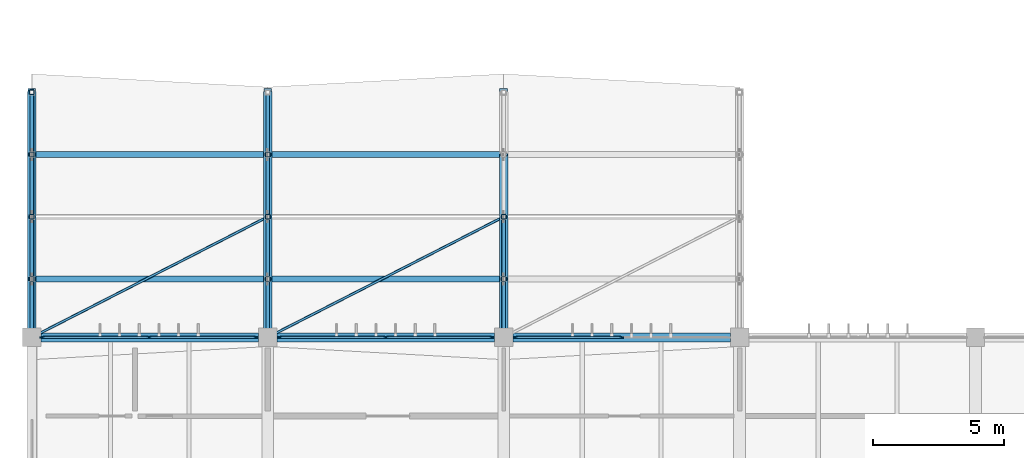
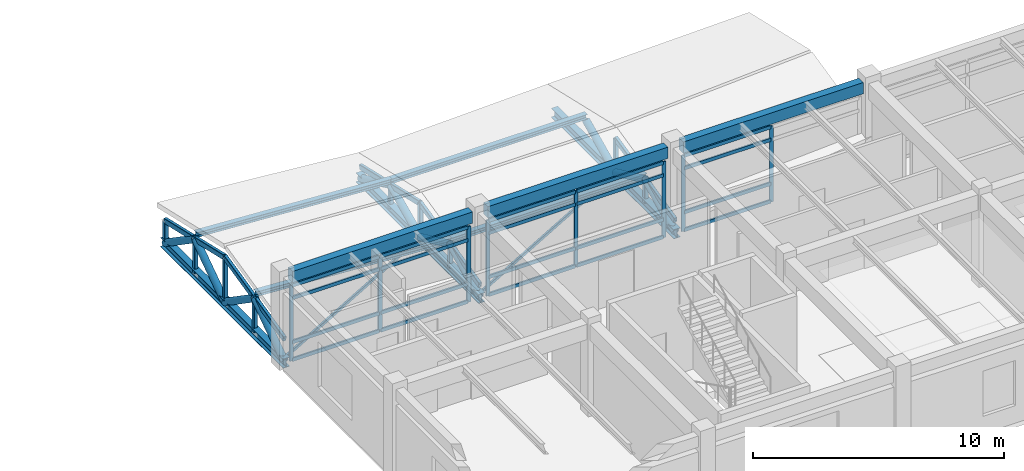
# One storey, part 11 of 61: 59 members, 6 beams, 3 elements without a shape of their own.
"""IFC4 building model written with IfcOpenShell, lengths in metres."""

import ifcopenshell
import ifcopenshell.guid

model = None  # the IFC model being written
_history = None  # IfcOwnerHistory: only IFC2X3 demands one
_inside = {}  # id of a spatial element -> (the spatial element, [elements in it])
_under = {}  # id of a project, library or spatial element -> (it, [spatial elements below it])
_declared = {}  # id of a project -> (the project, [libraries it declares])
_typed = {}  # id of a type object -> (the type object, [elements of that type])
_made_of = {}  # id of a material, layer set ... -> (it, [elements and type objects made of it])


def new_model(schema):
    """Start an empty IFC model of exactly this schema.

    Asked for "IFC4X3", IfcOpenShell would pick the latest addendum, in which some entities
    have other attributes; the version numbers below select the first issue.
    IFC2X3 requires an IfcOwnerHistory on every rooted entity: one is made here for all.
    """
    global model, _history
    if schema == "IFC4X3":
        model = ifcopenshell.file(schema_version=(4, 3, 0, 0))
    else:
        model = ifcopenshell.file(schema=schema)
    _inside.clear()
    _under.clear()
    _declared.clear()
    _typed.clear()
    _made_of.clear()
    _history = None
    if model.schema == "IFC2X3":
        org = make("IfcOrganization", Name="unknown")
        user = make(
            "IfcPersonAndOrganization",
            ThePerson=make("IfcPerson", FamilyName="unknown"),
            TheOrganization=org,
        )
        app = make(
            "IfcApplication",
            ApplicationDeveloper=org,
            Version="unknown",
            ApplicationFullName="unknown",
            ApplicationIdentifier="unknown",
        )
        _history = make(
            "IfcOwnerHistory",
            OwningUser=user,
            OwningApplication=app,
            ChangeAction="ADDED",
            CreationDate=0,
        )
    return model


def make(cls, **values):
    """One entity of the class cls with the attributes given. An attribute that is None is left unset."""
    return model.create_entity(
        cls, **{name: value for name, value in values.items() if value is not None}
    )


def rooted(cls, **values):
    """An entity with a GlobalId (a new one), such as an element, a storey or a relation."""
    return make(cls, GlobalId=ifcopenshell.guid.new(), OwnerHistory=_history, **values)


def si_unit(unit_type, name, prefix=None):
    """IfcSIUnit, for example si_unit("LENGTHUNIT", "METRE", prefix="MILLI")."""
    return make("IfcSIUnit", UnitType=unit_type, Prefix=prefix, Name=name)


def assignment(units):
    """IfcUnitAssignment: the units of a project."""
    return None if units is None else make("IfcUnitAssignment", Units=units)


def point(xyz):
    """IfcCartesianPoint."""
    return None if xyz is None else make("IfcCartesianPoint", Coordinates=xyz)


def direction(xyz):
    """IfcDirection."""
    return None if xyz is None else make("IfcDirection", DirectionRatios=xyz)


def frame(location, z_axis=None, x_axis=None):
    """IfcAxis2Placement3D, a coordinate frame: its origin and axes. An axis left out is left unset."""
    return make(
        "IfcAxis2Placement3D",
        Location=point(location),
        Axis=direction(z_axis),
        RefDirection=direction(x_axis),
    )


def frame_2d(location, x_axis=None):
    """IfcAxis2Placement2D, a coordinate frame in the plane: its origin and x axis."""
    return make(
        "IfcAxis2Placement2D", Location=point(location), RefDirection=direction(x_axis)
    )


def origin():
    """The frame at (0, 0, 0) with its axes left unset."""
    return frame((0.0, 0.0, 0.0))


def origin_2d():
    """The frame at (0, 0) in the plane with its x axis left unset."""
    return frame_2d((0.0, 0.0))


def place(relative_to, where):
    """IfcLocalPlacement: puts the frame where relative to a parent placement (None: the world)."""
    return make(
        "IfcLocalPlacement", PlacementRelTo=relative_to, RelativePlacement=where
    )


def context(
    kind, dimensions, precision=None, world=None, true_north=None, identifier=None
):
    """IfcGeometricRepresentationContext, for example the 3D "Model" context."""
    return make(
        "IfcGeometricRepresentationContext",
        ContextIdentifier=identifier,
        ContextType=kind,
        CoordinateSpaceDimension=dimensions,
        Precision=precision,
        WorldCoordinateSystem=world,
        TrueNorth=true_north,
    )


def subcontext(parent, identifier, kind, view, scale=None):
    """IfcGeometricRepresentationSubContext, for example "Body" below "Model"."""
    return make(
        "IfcGeometricRepresentationSubContext",
        ContextIdentifier=identifier,
        ContextType=kind,
        ParentContext=parent,
        TargetScale=scale,
        TargetView=view,
    )


def project(units=None, contexts=None):
    """IfcProject with its units and contexts."""
    return rooted(
        "IfcProject",
        Name="project",
        RepresentationContexts=contexts,
        UnitsInContext=assignment(units),
    )


def spatial(cls, under=None, at=None, **own):
    """A site, building, storey or space (cls), placed at a placement, below another one or the project."""
    s = rooted(cls, ObjectPlacement=at, **own)
    if under is not None:
        _under.setdefault(under.id(), (under, []))[1].append(s)
    return s


def profile(cls, at=None, kind="AREA", **sizes):
    """A parametric profile (cls). Its sizes go by their IFC names, for example OverallWidth=200.0."""
    return make(cls, ProfileType=kind, Position=at, **sizes)


def rectangle(**sizes):
    """IfcRectangleProfileDef."""
    return profile("IfcRectangleProfileDef", **sizes)


def hollow_rectangle(**sizes):
    """IfcRectangleHollowProfileDef."""
    return profile("IfcRectangleHollowProfileDef", **sizes)


def hollow_circle(**sizes):
    """IfcCircleHollowProfileDef."""
    return profile("IfcCircleHollowProfileDef", **sizes)


def i_section(**sizes):
    """IfcIShapeProfileDef."""
    return profile("IfcIShapeProfileDef", **sizes)


def extrude(swept, where, along, depth):
    """IfcExtrudedAreaSolid: the profile swept, set in the frame where, extruded along a direction by depth."""
    return make(
        "IfcExtrudedAreaSolid",
        SweptArea=swept,
        Position=where,
        ExtrudedDirection=direction(along),
        Depth=depth,
    )


def shape(context_of_items, identifier, shape_type, items):
    """IfcShapeRepresentation: the items that make up one representation, for example the "Body"."""
    return make(
        "IfcShapeRepresentation",
        ContextOfItems=context_of_items,
        RepresentationIdentifier=identifier,
        RepresentationType=shape_type,
        Items=items,
    )


def material(Name=None, Category=None):
    """IfcMaterial."""
    return make("IfcMaterial", Name=Name, Category=Category)


def material_profile(
    of_material, cross_section, Name=None, Category=None, Priority=None
):
    """IfcMaterialProfile: a cross section and its material."""
    return make(
        "IfcMaterialProfile",
        Name=Name,
        Material=of_material,
        Profile=cross_section,
        Priority=Priority,
        Category=Category,
    )


def profile_set(profiles, Name=None, composite=None):
    """IfcMaterialProfileSet."""
    return make(
        "IfcMaterialProfileSet",
        Name=Name,
        MaterialProfiles=profiles,
        CompositeProfile=composite,
    )


def made_of(thing, what):
    """Note that an element or type object is made of a material, layer set ...; save() writes the relation."""
    if what is not None:
        _made_of.setdefault(what.id(), (what, []))[1].append(thing)
    return thing


def type_object(cls, material=None, **own):
    """A type object (cls), such as IfcWallType, which elements share."""
    return made_of(rooted(cls, **own), material)


def element(
    cls,
    number,
    at=None,
    inside=None,
    cuts=None,
    type_object=None,
    material=None,
    context=None,
    identifier="Body",
    shape_type=None,
    held_by="IfcProductDefinitionShape",
    body=None,
    shapes=None,
    **own,
):
    """One element of the class cls, such as IfcWall. Its Tag is "e" and its number.

    at: its placement. inside: the storey or other place that contains it. cuts: it is an
    opening in that element (IfcRelVoidsElement). A single representation is given by context,
    identifier, shape_type and body (its items); several are given by shapes. held_by: the class
    of the entity that holds the representations. save() writes the other relations.
    """
    e = rooted(cls, Tag="e%d" % number, ObjectPlacement=at, **own)
    if body is not None:
        shapes = [shape(context, identifier, shape_type, body)]
    if shapes is not None:
        e.Representation = make(held_by, Representations=shapes)
    if inside is not None:
        _inside.setdefault(inside.id(), (inside, []))[1].append(e)
    if cuts is not None:
        rooted(
            "IfcRelVoidsElement", RelatingBuildingElement=cuts, RelatedOpeningElement=e
        )
    if type_object is not None:
        _typed.setdefault(type_object.id(), (type_object, []))[1].append(e)
    return made_of(e, material)


def aggregate(whole, parts):
    """IfcRelAggregates: a whole, such as a stair, and the parts it consists of."""
    return rooted("IfcRelAggregates", RelatingObject=whole, RelatedObjects=parts)


def save(model, path):
    """Write the relations noted so far, then the file.

    IfcRelAggregates (storeys below a building ...), IfcRelContainedInSpatialStructure (elements
    in a storey), IfcRelDefinesByType, IfcRelAssociatesMaterial and IfcRelDeclares: one each for
    every whole, place, type object, material and project.
    """
    for whole, parts in _under.values():
        aggregate(whole, parts)
    for where, things in _inside.values():
        rooted(
            "IfcRelContainedInSpatialStructure",
            RelatedElements=things,
            RelatingStructure=where,
        )
    for kind, things in _typed.values():
        rooted("IfcRelDefinesByType", RelatedObjects=things, RelatingType=kind)
    for what, things in _made_of.values():
        rooted("IfcRelAssociatesMaterial", RelatedObjects=things, RelatingMaterial=what)
    for by, libraries in _declared.values():
        rooted("IfcRelDeclares", RelatingContext=by, RelatedDefinitions=libraries)
    model.write(path)


model = new_model("IFC4")

# Units and contexts
model_context = context("Model", 3, precision=1e-05, world=origin(), true_north=direction((0.0, 1.0)))
body_context = subcontext(model_context, "Body", "Model", "MODEL_VIEW")
ifc_project = project(units=[si_unit("LENGTHUNIT", "METRE"), si_unit("AREAUNIT", "SQUARE_METRE"), si_unit("VOLUMEUNIT", "CUBIC_METRE"), si_unit("PLANEANGLEUNIT", "RADIAN"), si_unit("MASSUNIT", "GRAM", prefix="KILO")], contexts=[model_context])

# Site, building, storey
site_placement = place(None, origin())
site = spatial("IfcSite", under=ifc_project, at=site_placement, CompositionType="ELEMENT")
building_placement = place(site_placement, origin())
building = spatial("IfcBuilding", under=site, at=building_placement, Name="Bozkorgan Art Gallery", CompositionType="ELEMENT")
storey_placement = place(building_placement, frame((0.0, 0.0, 10.199951171875)))
storey = spatial("IfcBuildingStorey", under=building, at=storey_placement, Name="L02", CompositionType="ELEMENT", Elevation=10.199951171875)

# Beams
ifc_material_1 = material(Name="Concrete C35/45", Category="concrete")
ifc_material_profile_1 = material_profile(ifc_material_1, rectangle(XDim=0.35009765625, YDim=0.550048828125, at=origin_2d()), Name="RC 350x550")
ifc_profile_set_1 = profile_set([ifc_material_profile_1], Name="Concrete C35/45")
beam_type_1 = type_object("IfcBeamType", Name="BEAM-SP-49", PredefinedType="SPANDREL", material=ifc_profile_set_1)
for number, where, z_axis, x_axis, name in (
    (1, (2.35009765625, 20.0, 4.205078125), (1.0, 0.0, 0.0), (0.0, 1.0, 0.0), "V1 L02 spandrel X (2-11, 20.0)"),
    (2, (11.35009765625, 20.0, 4.205078125), (1.0, 0.0, 0.0), (0.0, 1.0, 0.0), "V1 L02 spandrel X (11-20, 20.0)"),
    (3, (20.35009765625, 20.0, 4.205078125), (1.0, 0.0, 0.0), (0.0, 1.0, 0.0), "V1 L02 spandrel X (20-29, 20.0)"),
):
    element("IfcBeam", number, at=place(storey_placement, frame(where, z_axis=z_axis, x_axis=x_axis)), inside=storey, type_object=beam_type_1, Name=name, PredefinedType="SPANDREL", context=body_context, shape_type="SweptSolid", body=[
        extrude(rectangle(XDim=0.35009765625, YDim=0.550048828125, at=origin_2d()), origin(), (0.0, 0.0, 1.0), 8.2998046875),
    ])
ifc_material_2 = material(Name="Steel S355J2", Category="steel")
ifc_material_profile_2 = material_profile(ifc_material_2, i_section(OverallWidth=0.300048828125, OverallDepth=0.449951171875, WebThickness=0.013916015625, FlangeThickness=0.02587890625, FilletRadius=0.027099609375, at=origin_2d()), Name="HEB 450")
ifc_profile_set_2 = profile_set([ifc_material_profile_2], Name="Steel S355J2")
beam_type_2 = type_object("IfcBeamType", Name="BEAM-TB-37", PredefinedType="BEAM", material=ifc_profile_set_2)
for number, where, z_axis, x_axis, name in (
    (4, (2.0, 19.7099609375, 0.22509765625), (0.0, 1.0, 0.0), (-1.0, 0.0, 0.0), "ROOF-V1-STEP2 roof truss 1 bottom chord"),
    (5, (11.0, 19.7099609375, 0.22509765625), (0.0, 1.0, 0.0), (-1.0, 0.0, 0.0), "ROOF-V1-STEP2 roof truss 2 bottom chord"),
    (6, (20.0, 19.7099609375, 0.22509765625), (0.0, 1.0, 0.0), (-1.0, 0.0, 0.0), "ROOF-V1-STEP2 roof truss 3 bottom chord"),
):
    element("IfcBeam", number, at=place(storey_placement, frame(where, z_axis=z_axis, x_axis=x_axis)), inside=storey, type_object=beam_type_2, Name=name, PredefinedType="BEAM", context=body_context, shape_type="SweptSolid", body=[
        extrude(i_section(OverallWidth=0.300048828125, OverallDepth=0.449951171875, WebThickness=0.013916015625, FlangeThickness=0.02587890625, FilletRadius=0.027099609375, at=origin_2d()), origin(), (0.0, 0.0, 1.0), 9.780029296875),
    ])

# Curtain wall, members
ifc_material_3 = material(Name="Anodised Bronze Aluminium", Category="aluminium")
curtain_wall_type_1 = type_object("IfcCurtainWallType", Name="CW-CW-01", PredefinedType="NOTDEFINED", material=ifc_material_3)
curtain_wall_1_placement = place(storey_placement, origin())
curtain_wall_1 = element("IfcCurtainWall", 7, at=curtain_wall_1_placement, inside=storey, type_object=curtain_wall_type_1, Name="L02 unitised curtain wall CW-V1-L02-1N-02", PredefinedType="NOTDEFINED")
ifc_material_profile_3 = material_profile(ifc_material_3, rectangle(XDim=0.06494140625, YDim=0.179931640625, at=origin_2d()), Name="ALU MULLION 65x180")
ifc_profile_set_3 = profile_set([ifc_material_profile_3], Name="Anodised Bronze Aluminium")
member_type_1 = type_object("IfcMemberType", Name="CWM-01", PredefinedType="MULLION", material=ifc_profile_set_3)
member_1_placement = place(storey_placement, frame((2.3974609375, 20.0, 0.02001953125), z_axis=(0.0, 0.0, 1.0), x_axis=(0.0, 1.0, 0.0)))
member_1 = element("IfcMember", 8, at=member_1_placement, type_object=member_type_1, Name="CW-01 mullion 1", PredefinedType="MULLION", context=body_context, shape_type="SweptSolid", body=[
    extrude(rectangle(XDim=0.06494140625, YDim=0.179931640625, at=origin_2d()), origin(), (0.0, 0.0, 1.0), 3.695068359375),
])
member_2_placement = place(storey_placement, frame((6.47509765625, 20.0, 0.02001953125), z_axis=(0.0, 0.0, 1.0), x_axis=(0.0, 1.0, 0.0)))
member_2 = element("IfcMember", 9, at=member_2_placement, type_object=member_type_1, Name="CW-01 mullion 2", PredefinedType="MULLION", context=body_context, shape_type="SweptSolid", body=[
    extrude(rectangle(XDim=0.06494140625, YDim=0.179931640625, at=origin_2d()), origin(), (0.0, 0.0, 1.0), 3.695068359375),
])
member_3_placement = place(storey_placement, frame((10.552490234375, 20.0, 0.02001953125), z_axis=(0.0, 0.0, 1.0), x_axis=(0.0, 1.0, 0.0)))
member_3 = element("IfcMember", 10, at=member_3_placement, type_object=member_type_1, Name="CW-01 mullion 3", PredefinedType="MULLION", context=body_context, shape_type="SweptSolid", body=[
    extrude(rectangle(XDim=0.06494140625, YDim=0.179931640625, at=origin_2d()), origin(), (0.0, 0.0, 1.0), 3.695068359375),
])

curtain_wall_type_2 = type_object("IfcCurtainWallType", Name="CW-CW-82", PredefinedType="NOTDEFINED", material=ifc_material_3)
curtain_wall_2_placement = place(storey_placement, origin())
curtain_wall_2 = element("IfcCurtainWall", 11, at=curtain_wall_2_placement, inside=storey, type_object=curtain_wall_type_2, Name="L02 unitised curtain wall CW-V1-L02-1N-04", PredefinedType="NOTDEFINED")
member_4_placement = place(storey_placement, frame((11.447509765625, 20.0, 0.02001953125), z_axis=(0.0, 0.0, 1.0), x_axis=(0.0, 1.0, 0.0)))
member_4 = element("IfcMember", 12, at=member_4_placement, type_object=member_type_1, Name="CW-82 mullion 1", PredefinedType="MULLION", context=body_context, shape_type="SweptSolid", body=[
    extrude(rectangle(XDim=0.06494140625, YDim=0.179931640625, at=origin_2d()), origin(), (0.0, 0.0, 1.0), 3.695068359375),
])
member_5_placement = place(storey_placement, frame((15.5, 20.0, 0.02001953125), z_axis=(0.0, 0.0, 1.0), x_axis=(0.0, 1.0, 0.0)))
member_5 = element("IfcMember", 13, at=member_5_placement, type_object=member_type_1, Name="CW-82 mullion 2", PredefinedType="MULLION", context=body_context, shape_type="SweptSolid", body=[
    extrude(rectangle(XDim=0.06494140625, YDim=0.179931640625, at=origin_2d()), origin(), (0.0, 0.0, 1.0), 3.695068359375),
])
member_6_placement = place(storey_placement, frame((19.552490234375, 20.0, 0.02001953125), z_axis=(0.0, 0.0, 1.0), x_axis=(0.0, 1.0, 0.0)))
member_6 = element("IfcMember", 14, at=member_6_placement, type_object=member_type_1, Name="CW-82 mullion 3", PredefinedType="MULLION", context=body_context, shape_type="SweptSolid", body=[
    extrude(rectangle(XDim=0.06494140625, YDim=0.179931640625, at=origin_2d()), origin(), (0.0, 0.0, 1.0), 3.695068359375),
])

curtain_wall_3_placement = place(storey_placement, origin())
curtain_wall_3 = element("IfcCurtainWall", 15, at=curtain_wall_3_placement, inside=storey, type_object=curtain_wall_type_2, Name="L02 unitised curtain wall CW-V1-L02-1N-06", PredefinedType="NOTDEFINED")
member_7_placement = place(storey_placement, frame((20.447509765625, 20.0, 0.02001953125), z_axis=(0.0, 0.0, 1.0), x_axis=(0.0, 1.0, 0.0)))
member_7 = element("IfcMember", 16, at=member_7_placement, type_object=member_type_1, Name="CW-82 mullion 1", PredefinedType="MULLION", context=body_context, shape_type="SweptSolid", body=[
    extrude(rectangle(XDim=0.06494140625, YDim=0.179931640625, at=origin_2d()), origin(), (0.0, 0.0, 1.0), 3.695068359375),
])
member_8_placement = place(storey_placement, frame((24.5, 20.0, 0.02001953125), z_axis=(0.0, 0.0, 1.0), x_axis=(0.0, 1.0, 0.0)))
member_8 = element("IfcMember", 17, at=member_8_placement, type_object=member_type_1, Name="CW-82 mullion 2", PredefinedType="MULLION", context=body_context, shape_type="SweptSolid", body=[
    extrude(rectangle(XDim=0.06494140625, YDim=0.179931640625, at=origin_2d()), origin(), (0.0, 0.0, 1.0), 3.695068359375),
])

# Member
ifc_material_profile_4 = material_profile(ifc_material_3, rectangle(XDim=0.074951171875, YDim=0.169921875, at=origin_2d()), Name="ALU TRANSOM 75x170")
ifc_profile_set_4 = profile_set([ifc_material_profile_4], Name="Anodised Bronze Aluminium")
member_type_2 = type_object("IfcMemberType", Name="CWT-02", PredefinedType="USERDEFINED", material=ifc_profile_set_4)
member_9_placement = place(storey_placement, frame((2.429931640625, 20.0, 0.0576171875), z_axis=(1.0, 0.0, 0.0), x_axis=(0.0, 1.0, 0.0)))
member_9 = element("IfcMember", 18, at=member_9_placement, type_object=member_type_2, Name="CW-01 transom 1.1", ObjectType="TRANSOM", PredefinedType="USERDEFINED", context=body_context, shape_type="SweptSolid", body=[
    extrude(rectangle(XDim=0.074951171875, YDim=0.169921875, at=origin_2d()), origin(), (0.0, 0.0, 1.0), 4.012451171875),
])

member_10_placement = place(storey_placement, frame((2.429931640625, 20.0, 0.920166015625), z_axis=(1.0, 0.0, 0.0), x_axis=(0.0, 1.0, 0.0)))
member_10 = element("IfcMember", 19, at=member_10_placement, type_object=member_type_2, Name="CW-01 transom 1.2", ObjectType="TRANSOM", PredefinedType="USERDEFINED", context=body_context, shape_type="SweptSolid", body=[
    extrude(rectangle(XDim=0.074951171875, YDim=0.169921875, at=origin_2d()), origin(), (0.0, 0.0, 1.0), 4.012451171875),
])

member_11_placement = place(storey_placement, frame((2.429931640625, 20.0, 3.06494140625), z_axis=(1.0, 0.0, 0.0), x_axis=(0.0, 1.0, 0.0)))
member_11 = element("IfcMember", 20, at=member_11_placement, type_object=member_type_2, Name="CW-01 transom 1.3", ObjectType="TRANSOM", PredefinedType="USERDEFINED", context=body_context, shape_type="SweptSolid", body=[
    extrude(rectangle(XDim=0.074951171875, YDim=0.169921875, at=origin_2d()), origin(), (0.0, 0.0, 1.0), 4.012451171875),
])

member_12_placement = place(storey_placement, frame((2.429931640625, 20.0, 3.677490234375), z_axis=(1.0, 0.0, 0.0), x_axis=(0.0, 1.0, 0.0)))
member_12 = element("IfcMember", 21, at=member_12_placement, type_object=member_type_2, Name="CW-01 transom 1.4", ObjectType="TRANSOM", PredefinedType="USERDEFINED", context=body_context, shape_type="SweptSolid", body=[
    extrude(rectangle(XDim=0.074951171875, YDim=0.169921875, at=origin_2d()), origin(), (0.0, 0.0, 1.0), 4.012451171875),
])

member_13_placement = place(storey_placement, frame((6.507568359375, 20.0, 0.0576171875), z_axis=(1.0, 0.0, 0.0), x_axis=(0.0, 1.0, 0.0)))
member_13 = element("IfcMember", 22, at=member_13_placement, type_object=member_type_2, Name="CW-01 transom 2.1", ObjectType="TRANSOM", PredefinedType="USERDEFINED", context=body_context, shape_type="SweptSolid", body=[
    extrude(rectangle(XDim=0.074951171875, YDim=0.169921875, at=origin_2d()), origin(), (0.0, 0.0, 1.0), 4.012451171875),
])

member_14_placement = place(storey_placement, frame((6.507568359375, 20.0, 0.920166015625), z_axis=(1.0, 0.0, 0.0), x_axis=(0.0, 1.0, 0.0)))
member_14 = element("IfcMember", 23, at=member_14_placement, type_object=member_type_2, Name="CW-01 transom 2.2", ObjectType="TRANSOM", PredefinedType="USERDEFINED", context=body_context, shape_type="SweptSolid", body=[
    extrude(rectangle(XDim=0.074951171875, YDim=0.169921875, at=origin_2d()), origin(), (0.0, 0.0, 1.0), 4.012451171875),
])

member_15_placement = place(storey_placement, frame((6.507568359375, 20.0, 3.06494140625), z_axis=(1.0, 0.0, 0.0), x_axis=(0.0, 1.0, 0.0)))
member_15 = element("IfcMember", 24, at=member_15_placement, type_object=member_type_2, Name="CW-01 transom 2.3", ObjectType="TRANSOM", PredefinedType="USERDEFINED", context=body_context, shape_type="SweptSolid", body=[
    extrude(rectangle(XDim=0.074951171875, YDim=0.169921875, at=origin_2d()), origin(), (0.0, 0.0, 1.0), 4.012451171875),
])

member_16_placement = place(storey_placement, frame((6.507568359375, 20.0, 3.677490234375), z_axis=(1.0, 0.0, 0.0), x_axis=(0.0, 1.0, 0.0)))
member_16 = element("IfcMember", 25, at=member_16_placement, type_object=member_type_2, Name="CW-01 transom 2.4", ObjectType="TRANSOM", PredefinedType="USERDEFINED", context=body_context, shape_type="SweptSolid", body=[
    extrude(rectangle(XDim=0.074951171875, YDim=0.169921875, at=origin_2d()), origin(), (0.0, 0.0, 1.0), 4.012451171875),
])

aggregate(curtain_wall_1, [member_1, member_2, member_3, member_9, member_10, member_11, member_12, member_13, member_14, member_15, member_16])

member_17_placement = place(storey_placement, frame((11.47998046875, 20.0, 0.0576171875), z_axis=(1.0, 0.0, 0.0), x_axis=(0.0, 1.0, 0.0)))
member_17 = element("IfcMember", 26, at=member_17_placement, type_object=member_type_2, Name="CW-82 transom 1.1", ObjectType="TRANSOM", PredefinedType="USERDEFINED", context=body_context, shape_type="SweptSolid", body=[
    extrude(rectangle(XDim=0.074951171875, YDim=0.169921875, at=origin_2d()), origin(), (0.0, 0.0, 1.0), 3.987548828125),
])

member_18_placement = place(storey_placement, frame((11.47998046875, 20.0, 0.920166015625), z_axis=(1.0, 0.0, 0.0), x_axis=(0.0, 1.0, 0.0)))
member_18 = element("IfcMember", 27, at=member_18_placement, type_object=member_type_2, Name="CW-82 transom 1.2", ObjectType="TRANSOM", PredefinedType="USERDEFINED", context=body_context, shape_type="SweptSolid", body=[
    extrude(rectangle(XDim=0.074951171875, YDim=0.169921875, at=origin_2d()), origin(), (0.0, 0.0, 1.0), 3.987548828125),
])

member_19_placement = place(storey_placement, frame((11.47998046875, 20.0, 3.06494140625), z_axis=(1.0, 0.0, 0.0), x_axis=(0.0, 1.0, 0.0)))
member_19 = element("IfcMember", 28, at=member_19_placement, type_object=member_type_2, Name="CW-82 transom 1.3", ObjectType="TRANSOM", PredefinedType="USERDEFINED", context=body_context, shape_type="SweptSolid", body=[
    extrude(rectangle(XDim=0.074951171875, YDim=0.169921875, at=origin_2d()), origin(), (0.0, 0.0, 1.0), 3.987548828125),
])

member_20_placement = place(storey_placement, frame((11.47998046875, 20.0, 3.677490234375), z_axis=(1.0, 0.0, 0.0), x_axis=(0.0, 1.0, 0.0)))
member_20 = element("IfcMember", 29, at=member_20_placement, type_object=member_type_2, Name="CW-82 transom 1.4", ObjectType="TRANSOM", PredefinedType="USERDEFINED", context=body_context, shape_type="SweptSolid", body=[
    extrude(rectangle(XDim=0.074951171875, YDim=0.169921875, at=origin_2d()), origin(), (0.0, 0.0, 1.0), 3.987548828125),
])

member_21_placement = place(storey_placement, frame((15.532470703125, 20.0, 0.0576171875), z_axis=(1.0, 0.0, 0.0), x_axis=(0.0, 1.0, 0.0)))
member_21 = element("IfcMember", 30, at=member_21_placement, type_object=member_type_2, Name="CW-82 transom 2.1", ObjectType="TRANSOM", PredefinedType="USERDEFINED", context=body_context, shape_type="SweptSolid", body=[
    extrude(rectangle(XDim=0.074951171875, YDim=0.169921875, at=origin_2d()), origin(), (0.0, 0.0, 1.0), 3.987548828125),
])

member_22_placement = place(storey_placement, frame((15.532470703125, 20.0, 0.920166015625), z_axis=(1.0, 0.0, 0.0), x_axis=(0.0, 1.0, 0.0)))
member_22 = element("IfcMember", 31, at=member_22_placement, type_object=member_type_2, Name="CW-82 transom 2.2", ObjectType="TRANSOM", PredefinedType="USERDEFINED", context=body_context, shape_type="SweptSolid", body=[
    extrude(rectangle(XDim=0.074951171875, YDim=0.169921875, at=origin_2d()), origin(), (0.0, 0.0, 1.0), 3.987548828125),
])

member_23_placement = place(storey_placement, frame((15.532470703125, 20.0, 3.06494140625), z_axis=(1.0, 0.0, 0.0), x_axis=(0.0, 1.0, 0.0)))
member_23 = element("IfcMember", 32, at=member_23_placement, type_object=member_type_2, Name="CW-82 transom 2.3", ObjectType="TRANSOM", PredefinedType="USERDEFINED", context=body_context, shape_type="SweptSolid", body=[
    extrude(rectangle(XDim=0.074951171875, YDim=0.169921875, at=origin_2d()), origin(), (0.0, 0.0, 1.0), 3.987548828125),
])

member_24_placement = place(storey_placement, frame((15.532470703125, 20.0, 3.677490234375), z_axis=(1.0, 0.0, 0.0), x_axis=(0.0, 1.0, 0.0)))
member_24 = element("IfcMember", 33, at=member_24_placement, type_object=member_type_2, Name="CW-82 transom 2.4", ObjectType="TRANSOM", PredefinedType="USERDEFINED", context=body_context, shape_type="SweptSolid", body=[
    extrude(rectangle(XDim=0.074951171875, YDim=0.169921875, at=origin_2d()), origin(), (0.0, 0.0, 1.0), 3.987548828125),
])

aggregate(curtain_wall_2, [member_4, member_5, member_6, member_17, member_18, member_19, member_20, member_21, member_22, member_23, member_24])

member_25_placement = place(storey_placement, frame((20.47998046875, 20.0, 0.0576171875), z_axis=(1.0, 0.0, 0.0), x_axis=(0.0, 1.0, 0.0)))
member_25 = element("IfcMember", 34, at=member_25_placement, type_object=member_type_2, Name="CW-82 transom 1.1", ObjectType="TRANSOM", PredefinedType="USERDEFINED", context=body_context, shape_type="SweptSolid", body=[
    extrude(rectangle(XDim=0.074951171875, YDim=0.169921875, at=origin_2d()), origin(), (0.0, 0.0, 1.0), 3.987548828125),
])

member_26_placement = place(storey_placement, frame((20.47998046875, 20.0, 0.920166015625), z_axis=(1.0, 0.0, 0.0), x_axis=(0.0, 1.0, 0.0)))
member_26 = element("IfcMember", 35, at=member_26_placement, type_object=member_type_2, Name="CW-82 transom 1.2", ObjectType="TRANSOM", PredefinedType="USERDEFINED", context=body_context, shape_type="SweptSolid", body=[
    extrude(rectangle(XDim=0.074951171875, YDim=0.169921875, at=origin_2d()), origin(), (0.0, 0.0, 1.0), 3.987548828125),
])

member_27_placement = place(storey_placement, frame((20.47998046875, 20.0, 3.06494140625), z_axis=(1.0, 0.0, 0.0), x_axis=(0.0, 1.0, 0.0)))
member_27 = element("IfcMember", 36, at=member_27_placement, type_object=member_type_2, Name="CW-82 transom 1.3", ObjectType="TRANSOM", PredefinedType="USERDEFINED", context=body_context, shape_type="SweptSolid", body=[
    extrude(rectangle(XDim=0.074951171875, YDim=0.169921875, at=origin_2d()), origin(), (0.0, 0.0, 1.0), 3.987548828125),
])

member_28_placement = place(storey_placement, frame((20.47998046875, 20.0, 3.677490234375), z_axis=(1.0, 0.0, 0.0), x_axis=(0.0, 1.0, 0.0)))
member_28 = element("IfcMember", 37, at=member_28_placement, type_object=member_type_2, Name="CW-82 transom 1.4", ObjectType="TRANSOM", PredefinedType="USERDEFINED", context=body_context, shape_type="SweptSolid", body=[
    extrude(rectangle(XDim=0.074951171875, YDim=0.169921875, at=origin_2d()), origin(), (0.0, 0.0, 1.0), 3.987548828125),
])

aggregate(curtain_wall_3, [member_7, member_8, member_25, member_26, member_27, member_28])

# Members
ifc_material_profile_5 = material_profile(ifc_material_2, i_section(OverallWidth=0.239990234375, OverallDepth=0.22998046875, WebThickness=0.007568359375, FlangeThickness=0.011962890625, FilletRadius=0.02099609375, at=origin_2d()), Name="HEA 240")
ifc_profile_set_5 = profile_set([ifc_material_profile_5], Name="Steel S355J2")
member_type_3 = type_object("IfcMemberType", Name="MEMBER-PR-93", PredefinedType="PURLIN", material=ifc_profile_set_5)
for number, where, z_axis, x_axis, name in (
    (38, (2.0, 22.22509765625, 2.09912109375), (0.998287793766, 0.0, -0.058493425416), (0.0, 1.0, 0.0), "ROOF-V1-STEP2 roof purlin 1S"),
    (39, (2.0, 26.97509765625, 2.09912109375), (0.998287793766, 0.0, -0.058493425416), (0.0, 1.0, 0.0), "ROOF-V1-STEP2 roof purlin 1N"),
):
    element("IfcMember", number, at=place(storey_placement, frame(where, z_axis=z_axis, x_axis=x_axis)), inside=storey, type_object=member_type_3, Name=name, PredefinedType="PURLIN", context=body_context, shape_type="SweptSolid", body=[
        extrude(i_section(OverallWidth=0.239990234375, OverallDepth=0.22998046875, WebThickness=0.007568359375, FlangeThickness=0.011962890625, FilletRadius=0.02099609375, at=origin_2d()), origin(), (0.0, 0.0, 1.0), 9.015380859375),
    ])
for number, where, z_axis, x_axis, name in (
    (40, (11.0, 22.22509765625, 1.57177734375), (1.0, 0.0, 0.0), (0.0, 1.0, 0.0), "ROOF-V1-STEP2 roof purlin 2S"),
    (41, (11.0, 26.97509765625, 1.57177734375), (1.0, 0.0, 0.0), (0.0, 1.0, 0.0), "ROOF-V1-STEP2 roof purlin 2N"),
):
    element("IfcMember", number, at=place(storey_placement, frame(where, z_axis=z_axis, x_axis=x_axis)), inside=storey, type_object=member_type_3, Name=name, PredefinedType="PURLIN", context=body_context, shape_type="SweptSolid", body=[
        extrude(i_section(OverallWidth=0.239990234375, OverallDepth=0.22998046875, WebThickness=0.007568359375, FlangeThickness=0.011962890625, FilletRadius=0.02099609375, at=origin_2d()), origin(), (0.0, 0.0, 1.0), 9.0),
    ])
ifc_material_profile_6 = material_profile(ifc_material_2, hollow_rectangle(XDim=0.14990234375, YDim=0.25, WallThickness=0.010009765625, InnerFilletRadius=0.014892578125, OuterFilletRadius=0.02490234375, at=origin_2d()), Name="RHS 250x150x10")
ifc_profile_set_6 = profile_set([ifc_material_profile_6], Name="Steel S355J2")
member_type_4 = type_object("IfcMemberType", Name="MEMBER-TC-35", PredefinedType="CHORD", material=ifc_profile_set_6)
for number, where, z_axis, x_axis, name in (
    (42, (2.0, 19.85009765625, 1.310791015625), (0.0, 0.974367556786, 0.224961917408), (-1.0, 0.0, 0.0), "ROOF-V1-STEP2 roof truss 1 south top chord"),
    (43, (2.0, 24.60009765625, 2.407470703125), (0.0, 0.974367556786, -0.224961917408), (-1.0, 0.0, 0.0), "ROOF-V1-STEP2 roof truss 1 north top chord"),
    (44, (11.0, 19.85009765625, 0.783447265625), (0.0, 0.974367556786, 0.224961917408), (-1.0, 0.0, 0.0), "ROOF-V1-STEP2 roof truss 2 south top chord"),
    (45, (11.0, 24.60009765625, 1.880126953125), (0.0, 0.974367556786, -0.224961917408), (-1.0, 0.0, 0.0), "ROOF-V1-STEP2 roof truss 2 north top chord"),
    (46, (20.0, 19.85009765625, 0.783447265625), (0.0, 0.974367556786, 0.224961917408), (-1.0, 0.0, 0.0), "ROOF-V1-STEP2 roof truss 3 south top chord"),
):
    element("IfcMember", number, at=place(storey_placement, frame(where, z_axis=z_axis, x_axis=x_axis)), inside=storey, type_object=member_type_4, Name=name, PredefinedType="CHORD", context=body_context, shape_type="SweptSolid", body=[
        extrude(hollow_rectangle(XDim=0.14990234375, YDim=0.25, WallThickness=0.010009765625, InnerFilletRadius=0.014892578125, OuterFilletRadius=0.02490234375, at=origin_2d()), origin(), (0.0, 0.0, 1.0), 4.875),
    ])
ifc_material_profile_7 = material_profile(ifc_material_2, hollow_rectangle(XDim=0.179931640625, YDim=0.179931640625, WallThickness=0.010009765625, InnerFilletRadius=0.014892578125, OuterFilletRadius=0.02490234375, at=origin_2d()), Name="SHS 180x180x10")
ifc_profile_set_7 = profile_set([ifc_material_profile_7], Name="Steel S355J2")
member_type_5 = type_object("IfcMemberType", Name="MEMBER-TP-98", PredefinedType="POST", material=ifc_profile_set_7)
member_29_placement = place(storey_placement, frame((2.0, 22.22509765625, 0.22509765625), z_axis=(0.0, 0.0, 1.0), x_axis=(1.0, 0.0, 0.0)))
element("IfcMember", 47, at=member_29_placement, inside=storey, type_object=member_type_5, Name="ROOF-V1-STEP2 roof truss 1 post 1", PredefinedType="POST", context=body_context, shape_type="SweptSolid", body=[
    extrude(hollow_rectangle(XDim=0.179931640625, YDim=0.179931640625, WallThickness=0.010009765625, InnerFilletRadius=0.014892578125, OuterFilletRadius=0.02490234375, at=origin_2d()), origin(), (0.0, 0.0, 1.0), 1.634033203125),
])
member_30_placement = place(storey_placement, frame((2.0, 24.60009765625, 0.22509765625), z_axis=(0.0, 0.0, 1.0), x_axis=(1.0, 0.0, 0.0)))
element("IfcMember", 48, at=member_30_placement, inside=storey, type_object=member_type_5, Name="ROOF-V1-STEP2 roof truss 1 post 2", PredefinedType="POST", context=body_context, shape_type="SweptSolid", body=[
    extrude(hollow_rectangle(XDim=0.179931640625, YDim=0.179931640625, WallThickness=0.010009765625, InnerFilletRadius=0.014892578125, OuterFilletRadius=0.02490234375, at=origin_2d()), origin(), (0.0, 0.0, 1.0), 2.182373046875),
])
member_31_placement = place(storey_placement, frame((2.0, 26.97509765625, 0.22509765625), z_axis=(0.0, 0.0, 1.0), x_axis=(1.0, 0.0, 0.0)))
element("IfcMember", 49, at=member_31_placement, inside=storey, type_object=member_type_5, Name="ROOF-V1-STEP2 roof truss 1 post 3", PredefinedType="POST", context=body_context, shape_type="SweptSolid", body=[
    extrude(hollow_rectangle(XDim=0.179931640625, YDim=0.179931640625, WallThickness=0.010009765625, InnerFilletRadius=0.014892578125, OuterFilletRadius=0.02490234375, at=origin_2d()), origin(), (0.0, 0.0, 1.0), 1.634033203125),
])
member_32_placement = place(storey_placement, frame((2.0, 29.35009765625, 0.22509765625), z_axis=(0.0, 0.0, 1.0), x_axis=(1.0, 0.0, 0.0)))
element("IfcMember", 50, at=member_32_placement, inside=storey, type_object=member_type_5, Name="ROOF-V1-STEP2 roof truss 1 post 4", PredefinedType="POST", context=body_context, shape_type="SweptSolid", body=[
    extrude(hollow_rectangle(XDim=0.179931640625, YDim=0.179931640625, WallThickness=0.010009765625, InnerFilletRadius=0.014892578125, OuterFilletRadius=0.02490234375, at=origin_2d()), origin(), (0.0, 0.0, 1.0), 1.085693359375),
])
member_33_placement = place(storey_placement, frame((11.0, 22.22509765625, 0.22509765625), z_axis=(0.0, 0.0, 1.0), x_axis=(1.0, 0.0, 0.0)))
element("IfcMember", 51, at=member_33_placement, inside=storey, type_object=member_type_5, Name="ROOF-V1-STEP2 roof truss 2 post 1", PredefinedType="POST", context=body_context, shape_type="SweptSolid", body=[
    extrude(hollow_rectangle(XDim=0.179931640625, YDim=0.179931640625, WallThickness=0.010009765625, InnerFilletRadius=0.014892578125, OuterFilletRadius=0.02490234375, at=origin_2d()), origin(), (0.0, 0.0, 1.0), 1.106689453125),
])
member_34_placement = place(storey_placement, frame((11.0, 24.60009765625, 0.22509765625), z_axis=(0.0, 0.0, 1.0), x_axis=(1.0, 0.0, 0.0)))
element("IfcMember", 52, at=member_34_placement, inside=storey, type_object=member_type_5, Name="ROOF-V1-STEP2 roof truss 2 post 2", PredefinedType="POST", context=body_context, shape_type="SweptSolid", body=[
    extrude(hollow_rectangle(XDim=0.179931640625, YDim=0.179931640625, WallThickness=0.010009765625, InnerFilletRadius=0.014892578125, OuterFilletRadius=0.02490234375, at=origin_2d()), origin(), (0.0, 0.0, 1.0), 1.655029296875),
])
for number, where, z_axis, x_axis, name in (
    (53, (11.0, 26.97509765625, 0.22509765625), (0.0, 0.0, 1.0), (1.0, 0.0, 0.0), "ROOF-V1-STEP2 roof truss 2 post 3"),
    (54, (20.0, 22.22509765625, 0.22509765625), (0.0, 0.0, 1.0), (1.0, 0.0, 0.0), "ROOF-V1-STEP2 roof truss 3 post 1"),
):
    element("IfcMember", number, at=place(storey_placement, frame(where, z_axis=z_axis, x_axis=x_axis)), inside=storey, type_object=member_type_5, Name=name, PredefinedType="POST", context=body_context, shape_type="SweptSolid", body=[
        extrude(hollow_rectangle(XDim=0.179931640625, YDim=0.179931640625, WallThickness=0.010009765625, InnerFilletRadius=0.014892578125, OuterFilletRadius=0.02490234375, at=origin_2d()), origin(), (0.0, 0.0, 1.0), 1.106689453125),
    ])
member_35_placement = place(storey_placement, frame((20.0, 24.60009765625, 0.22509765625), z_axis=(0.0, 0.0, 1.0), x_axis=(1.0, 0.0, 0.0)))
element("IfcMember", 55, at=member_35_placement, inside=storey, type_object=member_type_5, Name="ROOF-V1-STEP2 roof truss 3 post 2", PredefinedType="POST", context=body_context, shape_type="SweptSolid", body=[
    extrude(hollow_rectangle(XDim=0.179931640625, YDim=0.179931640625, WallThickness=0.010009765625, InnerFilletRadius=0.014892578125, OuterFilletRadius=0.02490234375, at=origin_2d()), origin(), (0.0, 0.0, 1.0), 1.655029296875),
])
ifc_material_profile_8 = material_profile(ifc_material_2, hollow_circle(Radius=0.161865234375, WallThickness=0.012451171875, at=origin_2d()), Name="CHS 323.9x12.5")
ifc_profile_set_8 = profile_set([ifc_material_profile_8], Name="Steel S355J2")
member_type_6 = type_object("IfcMemberType", Name="MEMBER-TW-97", PredefinedType="BRACE", material=ifc_profile_set_8)
for number, where, z_axis, x_axis, name in (
    (56, (2.0, 19.85009765625, 0.22509765625), (0.0, 0.823844193983, 0.566816323019), (-1.0, 0.0, 0.0), "ROOF-V1-STEP2 roof truss 1 diagonal 1"),
    (57, (2.0, 22.22509765625, 1.859130859375), (0.0, 0.823844193983, -0.566816323019), (-1.0, 0.0, 0.0), "ROOF-V1-STEP2 roof truss 1 diagonal 2"),
    (58, (2.0, 24.60009765625, 0.22509765625), (0.0, 0.823844193983, 0.566816323019), (-1.0, 0.0, 0.0), "ROOF-V1-STEP2 roof truss 1 diagonal 3"),
    (59, (2.0, 26.97509765625, 1.859130859375), (0.0, 0.823844193983, -0.566816323019), (-1.0, 0.0, 0.0), "ROOF-V1-STEP2 roof truss 1 diagonal 4"),
):
    element("IfcMember", number, at=place(storey_placement, frame(where, z_axis=z_axis, x_axis=x_axis)), inside=storey, type_object=member_type_6, Name=name, PredefinedType="BRACE", context=body_context, shape_type="SweptSolid", body=[
        extrude(hollow_circle(Radius=0.161865234375, WallThickness=0.012451171875, at=origin_2d()), origin(), (0.0, 0.0, 1.0), 2.8828125),
    ])
for number, where, z_axis, x_axis, name in (
    (60, (11.0, 19.85009765625, 0.22509765625), (0.0, 0.906423416762, 0.422370204377), (-1.0, 0.0, 0.0), "ROOF-V1-STEP2 roof truss 2 diagonal 1"),
    (61, (11.0, 22.22509765625, 1.331787109375), (0.0, 0.906423416762, -0.422370204377), (-1.0, 0.0, 0.0), "ROOF-V1-STEP2 roof truss 2 diagonal 2"),
    (62, (11.0, 24.60009765625, 0.22509765625), (0.0, 0.906423416762, 0.422370204377), (-1.0, 0.0, 0.0), "ROOF-V1-STEP2 roof truss 2 diagonal 3"),
    (63, (11.0, 26.97509765625, 1.331787109375), (0.0, 0.906423416762, -0.422370204377), (-1.0, 0.0, 0.0), "ROOF-V1-STEP2 roof truss 2 diagonal 4"),
    (64, (20.0, 19.85009765625, 0.22509765625), (0.0, 0.906423416762, 0.422370204377), (-1.0, 0.0, 0.0), "ROOF-V1-STEP2 roof truss 3 diagonal 1"),
    (65, (20.0, 22.22509765625, 1.331787109375), (0.0, 0.906423416762, -0.422370204377), (-1.0, 0.0, 0.0), "ROOF-V1-STEP2 roof truss 3 diagonal 2"),
    (66, (20.0, 24.60009765625, 0.22509765625), (0.0, 0.906423416762, 0.422370204377), (-1.0, 0.0, 0.0), "ROOF-V1-STEP2 roof truss 3 diagonal 3"),
):
    element("IfcMember", number, at=place(storey_placement, frame(where, z_axis=z_axis, x_axis=x_axis)), inside=storey, type_object=member_type_6, Name=name, PredefinedType="BRACE", context=body_context, shape_type="SweptSolid", body=[
        extrude(hollow_circle(Radius=0.161865234375, WallThickness=0.012451171875, at=origin_2d()), origin(), (0.0, 0.0, 1.0), 2.6201171875),
    ])
ifc_material_profile_9 = material_profile(ifc_material_2, hollow_rectangle(XDim=0.10009765625, YDim=0.14990234375, WallThickness=0.008056640625, InnerFilletRadius=0.011962890625, OuterFilletRadius=0.02001953125, at=origin_2d()), Name="RHS 150x100x8")
ifc_profile_set_9 = profile_set([ifc_material_profile_9], Name="Steel S355J2")
member_type_7 = type_object("IfcMemberType", Name="MEMBER-WB-10", PredefinedType="BRACE", material=ifc_profile_set_9)
for number, where, z_axis, x_axis, name in (
    (67, (2.0, 20.0, 0.22509765625), (0.890430766754, 0.455118720355, 0.0), (-0.455118720355, 0.890430766754, 0.0), "ROOF-V1-STEP2 roof diaphragm wind brace 1"),
    (68, (11.0, 20.0, 0.22509765625), (0.890430766754, 0.455118720355, 0.0), (-0.455118720355, 0.890430766754, 0.0), "ROOF-V1-STEP2 roof diaphragm wind brace 2"),
):
    element("IfcMember", number, at=place(storey_placement, frame(where, z_axis=z_axis, x_axis=x_axis)), inside=storey, type_object=member_type_7, Name=name, PredefinedType="BRACE", context=body_context, shape_type="SweptSolid", body=[
        extrude(hollow_rectangle(XDim=0.10009765625, YDim=0.14990234375, WallThickness=0.008056640625, InnerFilletRadius=0.011962890625, OuterFilletRadius=0.02001953125, at=origin_2d()), origin(), (0.0, 0.0, 1.0), 10.107421875),
    ])

save(model, "model.ifc")
